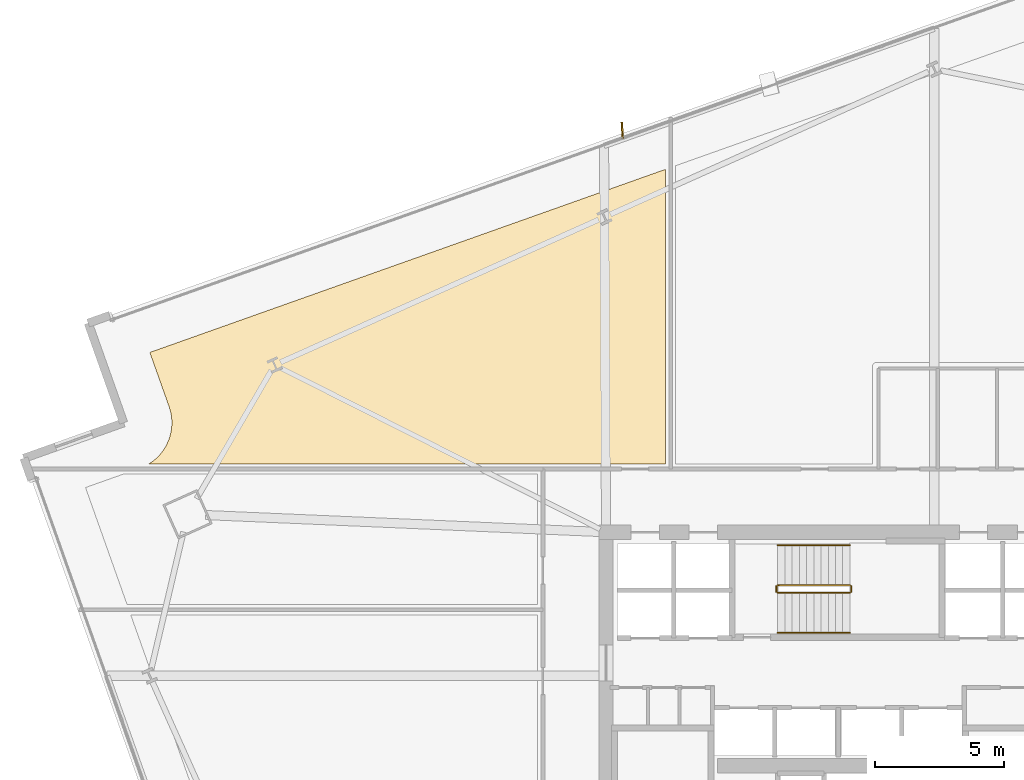
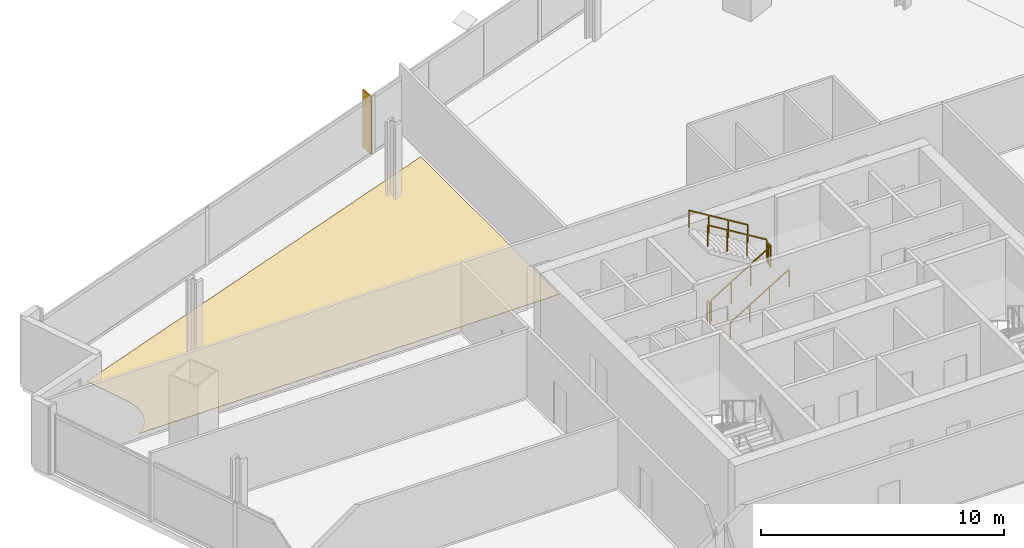
# One storey, part 32 of 33: 6 railings, 1 covering, 1 shading device.
"""IFC4 building model written with IfcOpenShell, lengths in metres."""

import ifcopenshell
import ifcopenshell.guid

model = None  # the IFC model being written
_history = None  # IfcOwnerHistory: only IFC2X3 demands one
_inside = {}  # id of a spatial element -> (the spatial element, [elements in it])
_under = {}  # id of a project, library or spatial element -> (it, [spatial elements below it])
_declared = {}  # id of a project -> (the project, [libraries it declares])
_typed = {}  # id of a type object -> (the type object, [elements of that type])
_made_of = {}  # id of a material, layer set ... -> (it, [elements and type objects made of it])


def new_model(schema):
    """Start an empty IFC model of exactly this schema.

    Asked for "IFC4X3", IfcOpenShell would pick the latest addendum, in which some entities
    have other attributes; the version numbers below select the first issue.
    IFC2X3 requires an IfcOwnerHistory on every rooted entity: one is made here for all.
    """
    global model, _history
    if schema == "IFC4X3":
        model = ifcopenshell.file(schema_version=(4, 3, 0, 0))
    else:
        model = ifcopenshell.file(schema=schema)
    _inside.clear()
    _under.clear()
    _declared.clear()
    _typed.clear()
    _made_of.clear()
    _history = None
    if model.schema == "IFC2X3":
        org = make("IfcOrganization", Name="unknown")
        user = make(
            "IfcPersonAndOrganization",
            ThePerson=make("IfcPerson", FamilyName="unknown"),
            TheOrganization=org,
        )
        app = make(
            "IfcApplication",
            ApplicationDeveloper=org,
            Version="unknown",
            ApplicationFullName="unknown",
            ApplicationIdentifier="unknown",
        )
        _history = make(
            "IfcOwnerHistory",
            OwningUser=user,
            OwningApplication=app,
            ChangeAction="ADDED",
            CreationDate=0,
        )
    return model


def make(cls, **values):
    """One entity of the class cls with the attributes given. An attribute that is None is left unset."""
    return model.create_entity(
        cls, **{name: value for name, value in values.items() if value is not None}
    )


def rooted(cls, **values):
    """An entity with a GlobalId (a new one), such as an element, a storey or a relation."""
    return make(cls, GlobalId=ifcopenshell.guid.new(), OwnerHistory=_history, **values)


def si_unit(unit_type, name, prefix=None):
    """IfcSIUnit, for example si_unit("LENGTHUNIT", "METRE", prefix="MILLI")."""
    return make("IfcSIUnit", UnitType=unit_type, Prefix=prefix, Name=name)


def assignment(units):
    """IfcUnitAssignment: the units of a project."""
    return None if units is None else make("IfcUnitAssignment", Units=units)


def point(xyz):
    """IfcCartesianPoint."""
    return None if xyz is None else make("IfcCartesianPoint", Coordinates=xyz)


def direction(xyz):
    """IfcDirection."""
    return None if xyz is None else make("IfcDirection", DirectionRatios=xyz)


def frame(location, z_axis=None, x_axis=None):
    """IfcAxis2Placement3D, a coordinate frame: its origin and axes. An axis left out is left unset."""
    return make(
        "IfcAxis2Placement3D",
        Location=point(location),
        Axis=direction(z_axis),
        RefDirection=direction(x_axis),
    )


def frame_2d(location, x_axis=None):
    """IfcAxis2Placement2D, a coordinate frame in the plane: its origin and x axis."""
    return make(
        "IfcAxis2Placement2D", Location=point(location), RefDirection=direction(x_axis)
    )


def origin():
    """The frame at (0, 0, 0) with its axes left unset."""
    return frame((0.0, 0.0, 0.0))


def origin_2d():
    """The frame at (0, 0) in the plane with its x axis left unset."""
    return frame_2d((0.0, 0.0))


def place(relative_to, where):
    """IfcLocalPlacement: puts the frame where relative to a parent placement (None: the world)."""
    return make(
        "IfcLocalPlacement", PlacementRelTo=relative_to, RelativePlacement=where
    )


def context(
    kind, dimensions, precision=None, world=None, true_north=None, identifier=None
):
    """IfcGeometricRepresentationContext, for example the 3D "Model" context."""
    return make(
        "IfcGeometricRepresentationContext",
        ContextIdentifier=identifier,
        ContextType=kind,
        CoordinateSpaceDimension=dimensions,
        Precision=precision,
        WorldCoordinateSystem=world,
        TrueNorth=true_north,
    )


def subcontext(parent, identifier, kind, view, scale=None):
    """IfcGeometricRepresentationSubContext, for example "Body" below "Model"."""
    return make(
        "IfcGeometricRepresentationSubContext",
        ContextIdentifier=identifier,
        ContextType=kind,
        ParentContext=parent,
        TargetScale=scale,
        TargetView=view,
    )


def project(units=None, contexts=None):
    """IfcProject with its units and contexts."""
    return rooted(
        "IfcProject",
        Name="project",
        RepresentationContexts=contexts,
        UnitsInContext=assignment(units),
    )


def spatial(cls, under=None, at=None, **own):
    """A site, building, storey or space (cls), placed at a placement, below another one or the project."""
    s = rooted(cls, ObjectPlacement=at, **own)
    if under is not None:
        _under.setdefault(under.id(), (under, []))[1].append(s)
    return s


def polyline(points):
    """IfcPolyline through the points."""
    return make("IfcPolyline", Points=[point(p) for p in points])


def profile(cls, at=None, kind="AREA", **sizes):
    """A parametric profile (cls). Its sizes go by their IFC names, for example OverallWidth=200.0."""
    return make(cls, ProfileType=kind, Position=at, **sizes)


def rectangle(**sizes):
    """IfcRectangleProfileDef."""
    return profile("IfcRectangleProfileDef", **sizes)


def outline(outer, holes=None, kind="AREA"):
    """IfcArbitraryClosedProfileDef: a profile drawn as a closed curve; with holes, ...WithVoids."""
    if holes is None:
        return make("IfcArbitraryClosedProfileDef", ProfileType=kind, OuterCurve=outer)
    return make(
        "IfcArbitraryProfileDefWithVoids",
        ProfileType=kind,
        OuterCurve=outer,
        InnerCurves=holes,
    )


def extrude(swept, where, along, depth):
    """IfcExtrudedAreaSolid: the profile swept, set in the frame where, extruded along a direction by depth."""
    return make(
        "IfcExtrudedAreaSolid",
        SweptArea=swept,
        Position=where,
        ExtrudedDirection=direction(along),
        Depth=depth,
    )


def shape(context_of_items, identifier, shape_type, items):
    """IfcShapeRepresentation: the items that make up one representation, for example the "Body"."""
    return make(
        "IfcShapeRepresentation",
        ContextOfItems=context_of_items,
        RepresentationIdentifier=identifier,
        RepresentationType=shape_type,
        Items=items,
    )


def source(mapping_origin, context_of_items, identifier, shape_type, items):
    """IfcRepresentationMap: a shape defined once, which mapped items show again and again."""
    return make(
        "IfcRepresentationMap",
        MappingOrigin=mapping_origin,
        MappedRepresentation=shape(context_of_items, identifier, shape_type, items),
    )


def transform(
    local_origin,
    x_axis=None,
    y_axis=None,
    z_axis=None,
    scale=None,
    scale2=None,
    scale3=None,
    uniform=True,
):
    """IfcCartesianTransformationOperator3D, or its non-uniform kind. x_axis, y_axis, z_axis: its Axis1, 2, 3."""
    if uniform:
        return make(
            "IfcCartesianTransformationOperator3D",
            Axis1=direction(x_axis),
            Axis2=direction(y_axis),
            LocalOrigin=point(local_origin),
            Scale=scale,
            Axis3=direction(z_axis),
        )
    return make(
        "IfcCartesianTransformationOperator3DnonUniform",
        Axis1=direction(x_axis),
        Axis2=direction(y_axis),
        LocalOrigin=point(local_origin),
        Scale=scale,
        Axis3=direction(z_axis),
        Scale2=scale2,
        Scale3=scale3,
    )


def mapped(mapping_source, mapping_target):
    """IfcMappedItem: shows the shape of a source again, moved by a transform."""
    return make(
        "IfcMappedItem", MappingSource=mapping_source, MappingTarget=mapping_target
    )


def material(Name=None, Category=None):
    """IfcMaterial."""
    return make("IfcMaterial", Name=Name, Category=Category)


def layer(
    of_material, thickness, ventilated=None, Name=None, Category=None, Priority=None
):
    """IfcMaterialLayer: one layer of a wall or slab, of a material (None: an air gap)."""
    return make(
        "IfcMaterialLayer",
        Material=of_material,
        LayerThickness=thickness,
        IsVentilated=ventilated,
        Name=Name,
        Category=Category,
        Priority=Priority,
    )


def layer_set(layers, Name=None):
    """IfcMaterialLayerSet."""
    return make("IfcMaterialLayerSet", MaterialLayers=layers, LayerSetName=Name)


def made_of(thing, what):
    """Note that an element or type object is made of a material, layer set ...; save() writes the relation."""
    if what is not None:
        _made_of.setdefault(what.id(), (what, []))[1].append(thing)
    return thing


def type_object(cls, material=None, **own):
    """A type object (cls), such as IfcWallType, which elements share."""
    return made_of(rooted(cls, **own), material)


def element(
    cls,
    number,
    at=None,
    inside=None,
    cuts=None,
    type_object=None,
    material=None,
    context=None,
    identifier="Body",
    shape_type=None,
    held_by="IfcProductDefinitionShape",
    body=None,
    shapes=None,
    **own,
):
    """One element of the class cls, such as IfcWall. Its Tag is "e" and its number.

    at: its placement. inside: the storey or other place that contains it. cuts: it is an
    opening in that element (IfcRelVoidsElement). A single representation is given by context,
    identifier, shape_type and body (its items); several are given by shapes. held_by: the class
    of the entity that holds the representations. save() writes the other relations.
    """
    e = rooted(cls, Tag="e%d" % number, ObjectPlacement=at, **own)
    if body is not None:
        shapes = [shape(context, identifier, shape_type, body)]
    if shapes is not None:
        e.Representation = make(held_by, Representations=shapes)
    if inside is not None:
        _inside.setdefault(inside.id(), (inside, []))[1].append(e)
    if cuts is not None:
        rooted(
            "IfcRelVoidsElement", RelatingBuildingElement=cuts, RelatedOpeningElement=e
        )
    if type_object is not None:
        _typed.setdefault(type_object.id(), (type_object, []))[1].append(e)
    return made_of(e, material)


def aggregate(whole, parts):
    """IfcRelAggregates: a whole, such as a stair, and the parts it consists of."""
    return rooted("IfcRelAggregates", RelatingObject=whole, RelatedObjects=parts)


def save(model, path):
    """Write the relations noted so far, then the file.

    IfcRelAggregates (storeys below a building ...), IfcRelContainedInSpatialStructure (elements
    in a storey), IfcRelDefinesByType, IfcRelAssociatesMaterial and IfcRelDeclares: one each for
    every whole, place, type object, material and project.
    """
    for whole, parts in _under.values():
        aggregate(whole, parts)
    for where, things in _inside.values():
        rooted(
            "IfcRelContainedInSpatialStructure",
            RelatedElements=things,
            RelatingStructure=where,
        )
    for kind, things in _typed.values():
        rooted("IfcRelDefinesByType", RelatedObjects=things, RelatingType=kind)
    for what, things in _made_of.values():
        rooted("IfcRelAssociatesMaterial", RelatedObjects=things, RelatingMaterial=what)
    for by, libraries in _declared.values():
        rooted("IfcRelDeclares", RelatingContext=by, RelatedDefinitions=libraries)
    model.write(path)


model = new_model("IFC4")

# Units and contexts
model_context = context("Model", 3, precision=1e-05, world=origin(), true_north=direction((0.0, 1.0)))
body_context = subcontext(model_context, "Body", "Model", "MODEL_VIEW")
ifc_project = project(units=[si_unit("LENGTHUNIT", "METRE"), si_unit("AREAUNIT", "SQUARE_METRE"), si_unit("VOLUMEUNIT", "CUBIC_METRE"), si_unit("PLANEANGLEUNIT", "RADIAN"), si_unit("MASSUNIT", "GRAM", prefix="KILO")], contexts=[model_context])

# Site, building, storey
site_placement = place(None, origin())
site = spatial("IfcSite", under=ifc_project, at=site_placement, CompositionType="ELEMENT")
building_placement = place(site_placement, origin())
building = spatial("IfcBuilding", under=site, at=building_placement, Name="Haldenkirk Collegiate Tower", CompositionType="ELEMENT")
storey_placement = place(building_placement, frame((0.0, 0.0, 94.199951171875)))
storey = spatial("IfcBuildingStorey", under=building, at=storey_placement, Name="L22", CompositionType="ELEMENT", Elevation=94.199951171875)

# Covering
ifc_material_1 = material(Name="Polished collegiate terrazzo", Category="concrete")
ifc_layer_1 = layer(ifc_material_1, 0.02490234375)
ifc_layer_set_1 = layer_set([ifc_layer_1], Name="Polished collegiate terrazzo")
covering_type = type_object("IfcCoveringType", Name="COV-FLOOR-TERRAZZO", PredefinedType="FLOORING", material=ifc_layer_set_1)
covering_placement = place(storey_placement, origin())
element("IfcCovering", 1, at=covering_placement, inside=storey, type_object=covering_type, Name="L22 academic room finish 06", PredefinedType="FLOORING", context=body_context, shape_type="SweptSolid", body=[
    extrude(outline(polyline([(9.291748046875, 36.64990234375), (9.41357421875, 36.73095703125), (9.423095703125, 36.738037109375), (9.555908203125, 36.8466796875), (9.564697265625, 36.8544921875), (9.686279296875, 36.9755859375), (9.6943359375, 36.984130859375), (9.8037109375, 37.11669921875), (9.810791015625, 37.126220703125), (9.906494140625, 37.268798828125), (9.91259765625, 37.27880859375), (9.993896484375, 37.43017578125), (9.9990234375, 37.44091796875), (10.065185546875, 37.599365234375), (10.069091796875, 37.6103515625), (10.119384765625, 37.774658203125), (10.1220703125, 37.785888671875), (10.156005859375, 37.954345703125), (10.15771484375, 37.966064453125), (10.175048828125, 38.13671875), (10.17578125, 38.148681640625), (10.176025390625, 38.3203125), (10.175537109375, 38.332275390625), (10.1591796875, 38.503173828125), (10.157470703125, 38.5146484375), (10.124267578125, 38.68310546875), (10.12158203125, 38.694580078125), (10.072021484375, 38.859130859375), (10.0703125, 38.86474609375), (9.323974609375, 40.96630859375), (29.300048828125, 48.059814453125), (29.300048828125, 36.64990234375), (9.291748046875, 36.64990234375)])), origin(), (0.0, 0.0, 1.0), 0.025146484375),
])

# Railings
ifc_material_2 = material(Name="Painted architectural tubular steel", Category="steel")
railing_type_1 = type_object("IfcRailingType", Name="RLG-STAIR-GUARD-1100", PredefinedType="BALUSTRADE", material=ifc_material_2)
railing_1_placement = place(storey_placement, frame((33.64990234375, 31.64990234375, 0.17041015625)))
element("IfcRailing", 2, at=railing_1_placement, inside=storey, type_object=railing_type_1, Name="L22 ST-3 stair guard 1", PredefinedType="BALUSTRADE", context=body_context, shape_type="SweptSolid", body=[
    extrude(rectangle(XDim=0.048095703125, YDim=0.048095703125, at=origin_2d()), frame((0.0, 0.0, 1.076171875), z_axis=(0.854169791009, 0.0, 0.51999420009), x_axis=(0.0, 1.0, 0.0)), (0.0, 0.0, 1.0), 3.278076171875),
    extrude(rectangle(XDim=0.0419921875, YDim=0.0419921875, at=origin_2d()), origin(), (0.0, 0.0, 1.0), 1.052001953125),
    extrude(rectangle(XDim=0.0419921875, YDim=0.0419921875, at=origin_2d()), frame((0.933349609375, 0.0, 0.568115234375)), (0.0, 0.0, 1.0), 1.052001953125),
    extrude(rectangle(XDim=0.0419921875, YDim=0.0419921875, at=origin_2d()), frame((1.86669921875, 0.0, 1.136474609375)), (0.0, 0.0, 1.0), 1.052001953125),
    extrude(rectangle(XDim=0.0419921875, YDim=0.0419921875, at=origin_2d()), frame((2.800048828125, 0.0, 1.70458984375)), (0.0, 0.0, 1.0), 1.052001953125),
])
railing_2_placement = place(storey_placement, frame((36.5, 31.699951171875, 1.875)))
element("IfcRailing", 3, at=railing_2_placement, inside=storey, type_object=railing_type_1, Name="L22 ST-3 stair guard 2", PredefinedType="BALUSTRADE", context=body_context, shape_type="SweptSolid", body=[
    extrude(rectangle(XDim=0.048095703125, YDim=0.048095703125, at=origin_2d()), frame((0.0, 0.0, 1.076171875), z_axis=(0.0, 1.0, 0.0), x_axis=(-1.0, 0.0, 0.0)), (0.0, 0.0, 1.0), 0.199951171875),
    extrude(rectangle(XDim=0.0419921875, YDim=0.0419921875, at=origin_2d()), origin(), (0.0, 0.0, 1.0), 1.052001953125),
    extrude(rectangle(XDim=0.0419921875, YDim=0.0419921875, at=origin_2d()), frame((0.0, 0.199951171875, 0.0)), (0.0, 0.0, 1.0), 1.052001953125),
])
railing_3_placement = place(storey_placement, frame((36.449951171875, 31.949951171875, 2.04541015625)))
element("IfcRailing", 4, at=railing_3_placement, inside=storey, type_object=railing_type_1, Name="L22 ST-3 stair guard 3", PredefinedType="BALUSTRADE", context=body_context, shape_type="SweptSolid", body=[
    extrude(rectangle(XDim=0.048095703125, YDim=0.048095703125, at=origin_2d()), frame((0.0, 0.0, 1.076171875), z_axis=(-0.854169791009, 0.0, 0.51999420009), x_axis=(0.0, -1.0, 0.0)), (0.0, 0.0, 1.0), 3.278076171875),
    extrude(rectangle(XDim=0.0419921875, YDim=0.0419921875, at=origin_2d()), origin(), (0.0, 0.0, 1.0), 1.052001953125),
    extrude(rectangle(XDim=0.0419921875, YDim=0.0419921875, at=origin_2d()), frame((-0.933349609375, 0.0, 0.568115234375)), (0.0, 0.0, 1.0), 1.052001953125),
    extrude(rectangle(XDim=0.0419921875, YDim=0.0419921875, at=origin_2d()), frame((-1.86669921875, 0.0, 1.136474609375)), (0.0, 0.0, 1.0), 1.052001953125),
    extrude(rectangle(XDim=0.0419921875, YDim=0.0419921875, at=origin_2d()), frame((-2.800048828125, 0.0, 1.70458984375)), (0.0, 0.0, 1.0), 1.052001953125),
])
railing_4_placement = place(storey_placement, frame((33.60009765625, 31.699951171875, 0.0)))
element("IfcRailing", 5, at=railing_4_placement, inside=storey, type_object=railing_type_1, Name="L22 ST-3 stair guard 4", PredefinedType="BALUSTRADE", context=body_context, shape_type="SweptSolid", body=[
    extrude(rectangle(XDim=0.048095703125, YDim=0.048095703125, at=origin_2d()), frame((0.0, 0.0, 1.076171875), z_axis=(0.0, 1.0, 0.0), x_axis=(-1.0, 0.0, 0.0)), (0.0, 0.0, 1.0), 0.199951171875),
    extrude(rectangle(XDim=0.0419921875, YDim=0.0419921875, at=origin_2d()), origin(), (0.0, 0.0, 1.0), 1.052001953125),
    extrude(rectangle(XDim=0.0419921875, YDim=0.0419921875, at=origin_2d()), frame((0.0, 0.199951171875, 0.0)), (0.0, 0.0, 1.0), 1.052001953125),
])
railing_type_2 = type_object("IfcRailingType", Name="RLG-STAIR-HANDRAIL-900", PredefinedType="HANDRAIL", material=ifc_material_2)
railing_5_placement = place(storey_placement, frame((33.64990234375, 30.10009765625, 0.17041015625)))
element("IfcRailing", 6, at=railing_5_placement, inside=storey, type_object=railing_type_2, Name="L22 ST-3 stair handrail 1", PredefinedType="HANDRAIL", context=body_context, shape_type="SweptSolid", body=[
    extrude(rectangle(XDim=0.048095703125, YDim=0.048095703125, at=origin_2d()), frame((0.0, 0.0, 0.8759765625), z_axis=(0.854169791009, 0.0, 0.51999420009), x_axis=(0.0, 1.0, 0.0)), (0.0, 0.0, 1.0), 3.278076171875),
    extrude(rectangle(XDim=0.0419921875, YDim=0.0419921875, at=origin_2d()), origin(), (0.0, 0.0, 1.0), 0.851806640625),
    extrude(rectangle(XDim=0.0419921875, YDim=0.0419921875, at=origin_2d()), frame((0.933349609375, 0.0, 0.568115234375)), (0.0, 0.0, 1.0), 0.851806640625),
    extrude(rectangle(XDim=0.0419921875, YDim=0.0419921875, at=origin_2d()), frame((1.86669921875, 0.0, 1.136474609375)), (0.0, 0.0, 1.0), 0.851806640625),
    extrude(rectangle(XDim=0.0419921875, YDim=0.0419921875, at=origin_2d()), frame((2.800048828125, 0.0, 1.70458984375)), (0.0, 0.0, 1.0), 0.851806640625),
])
railing_6_placement = place(storey_placement, frame((36.449951171875, 33.5, 2.04541015625)))
element("IfcRailing", 7, at=railing_6_placement, inside=storey, type_object=railing_type_2, Name="L22 ST-3 stair handrail 2", PredefinedType="HANDRAIL", context=body_context, shape_type="SweptSolid", body=[
    extrude(rectangle(XDim=0.048095703125, YDim=0.048095703125, at=origin_2d()), frame((0.0, 0.0, 0.8759765625), z_axis=(-0.854169791009, 0.0, 0.51999420009), x_axis=(0.0, -1.0, 0.0)), (0.0, 0.0, 1.0), 3.278076171875),
    extrude(rectangle(XDim=0.0419921875, YDim=0.0419921875, at=origin_2d()), origin(), (0.0, 0.0, 1.0), 0.851806640625),
    extrude(rectangle(XDim=0.0419921875, YDim=0.0419921875, at=origin_2d()), frame((-0.933349609375, 0.0, 0.568115234375)), (0.0, 0.0, 1.0), 0.851806640625),
    extrude(rectangle(XDim=0.0419921875, YDim=0.0419921875, at=origin_2d()), frame((-1.86669921875, 0.0, 1.136474609375)), (0.0, 0.0, 1.0), 0.851806640625),
    extrude(rectangle(XDim=0.0419921875, YDim=0.0419921875, at=origin_2d()), frame((-2.800048828125, 0.0, 1.70458984375)), (0.0, 0.0, 1.0), 0.851806640625),
])

# Shading device
ifc_material_3 = material(Name="Anodised architectural bronze aluminium", Category="aluminium")
ifc_layer_2 = layer(ifc_material_3, 0.06494140625)
ifc_layer_set_2 = layer_set([ifc_layer_2], Name="Anodised architectural bronze aluminium")
shading_device_type = type_object("IfcShadingDeviceType", Name="SHD-FIN-BRONZE-620", PredefinedType="USERDEFINED", material=ifc_layer_set_2)
shared_shape = source(origin(), body_context, "Body", "SweptSolid", [
    extrude(rectangle(XDim=0.6201171875, YDim=0.06494140625, at=origin_2d()), origin(), (0.0, 0.0, 1.0), 2.90087890625),
])
shading_device_placement = place(storey_placement, frame((27.629150390625, 49.572998046875, 0.0), z_axis=(0.0, 0.0, 1.0), x_axis=(-0.061919553109, 0.998081143466, 0.0)))
element("IfcShadingDevice", 8, at=shading_device_placement, inside=storey, type_object=shading_device_type, Name="L22 folded bronze solar fin 1", ObjectType="FIN", PredefinedType="USERDEFINED", context=body_context, shape_type="MappedRepresentation", body=[
    mapped(shared_shape, transform((0.0, 0.0, 0.0), x_axis=(1.0, 0.0, 0.0), y_axis=(0.0, 1.0, 0.0), z_axis=(0.0, 0.0, 1.0), scale=1.0)),
])

save(model, "model.ifc")
